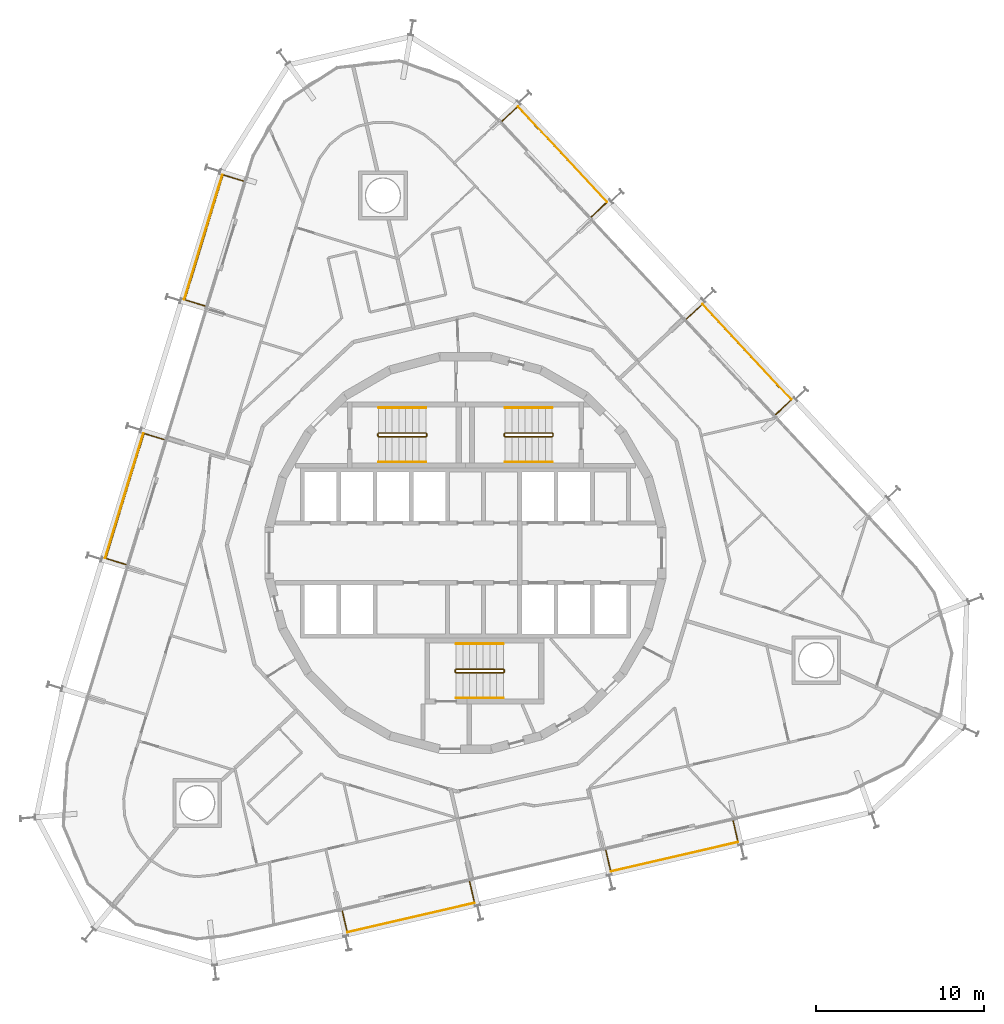
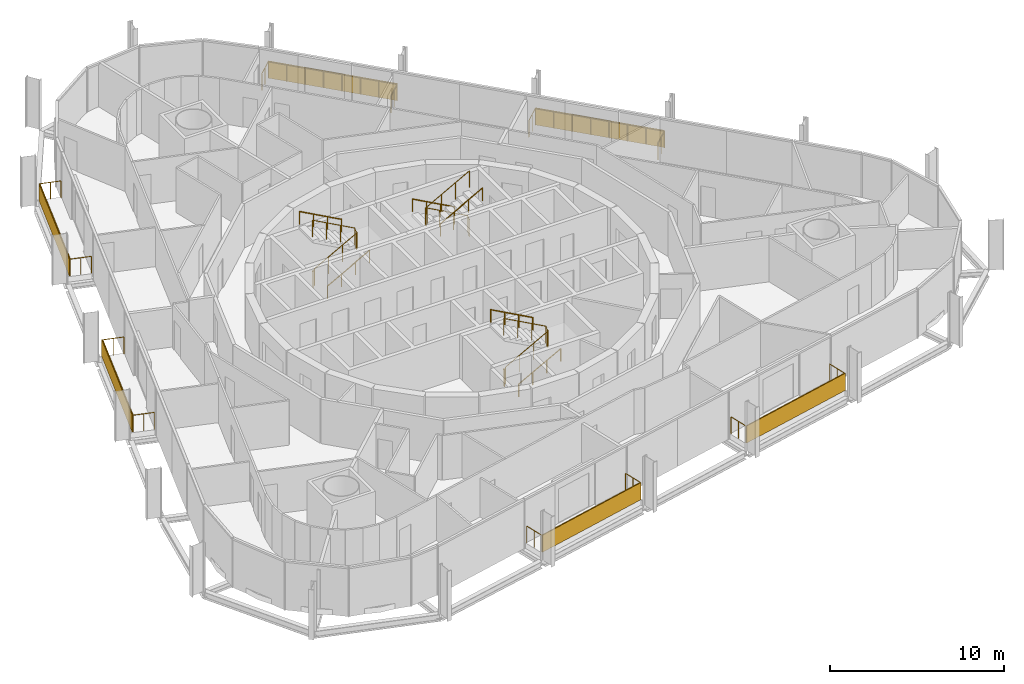
# One storey, part 18 of 18: 15 railings, 6 shading devices.
"""IFC4 building model written with IfcOpenShell, lengths in metres."""

from ifc_helpers import new_model, si_unit, direction, frame, origin, origin_2d, place, context, subcontext, project, spatial, rectangle, circle, extrude, material, layer, layer_set, type_object, element, save


model = new_model("IFC4")

# Units and contexts
model_context = context("Model", 3, precision=1e-05, world=origin(), true_north=direction((0.0, 1.0)))
body_context = subcontext(model_context, "Body", "Model", "MODEL_VIEW")
ifc_project = project(units=[si_unit("LENGTHUNIT", "METRE"), si_unit("AREAUNIT", "SQUARE_METRE"), si_unit("VOLUMEUNIT", "CUBIC_METRE"), si_unit("PLANEANGLEUNIT", "RADIAN"), si_unit("MASSUNIT", "GRAM", prefix="KILO")], contexts=[model_context])

# Site, building, storey
site_placement = place(None, origin())
site = spatial("IfcSite", under=ifc_project, at=site_placement, CompositionType="ELEMENT")
building_placement = place(site_placement, origin())
building = spatial("IfcBuilding", under=site, at=building_placement, Name="Spindle Arch Residences", CompositionType="ELEMENT")
storey_placement = place(building_placement, frame((0.0, 0.0, 120.39990234375)))
storey = spatial("IfcBuildingStorey", under=building, at=storey_placement, Name="L29", CompositionType="ELEMENT", Elevation=120.39990234375)

# Railings
ifc_material_1 = material(Name="Bronze anodised aluminium guard with glass infill", Category="aluminium")
railing_type_1 = type_object("IfcRailingType", Name="Balcony guard 1200", PredefinedType="GUARDRAIL", material=ifc_material_1)
railing_1_placement = place(storey_placement, frame((8.33544921875, -17.658447265625, 0.0)))
element("IfcRailing", 1, at=railing_1_placement, inside=storey, type_object=railing_type_1, Name="Guard L29 bay 1", PredefinedType="GUARDRAIL", context=body_context, shape_type="SweptSolid", body=[
    extrude(circle(Radius=0.02392578125, at=origin_2d()), frame((0.0, 0.0, 1.17578125), z_axis=(0.224987877395, -0.974361562781, 0.0), x_axis=(0.974361562781, 0.224987877395, 0.0)), (0.0, 0.0, 1.0), 1.25),
    extrude(circle(Radius=0.02392578125, at=origin_2d()), frame((0.28125, -1.218017578125, 1.17578125), z_axis=(0.974365204353, 0.224972106149, 0.0), x_axis=(-0.224972106149, 0.974365204353, 0.0)), (0.0, 0.0, 1.0), 7.75927734375),
    extrude(circle(Radius=0.02392578125, at=origin_2d()), frame((7.841552734375, 0.527587890625, 1.17578125), z_axis=(-0.225030699336, 0.974351673861, 0.0), x_axis=(-0.974351673861, -0.225030699336, 0.0)), (0.0, 0.0, 1.0), 1.249755859375),
    extrude(circle(Radius=0.02099609375, at=origin_2d()), origin(), (0.0, 0.0, 1.0), 1.15185546875),
    extrude(circle(Radius=0.02099609375, at=origin_2d()), frame((0.140625, -0.60888671875, 0.0)), (0.0, 0.0, 1.0), 1.15185546875),
    extrude(circle(Radius=0.02099609375, at=origin_2d()), frame((0.28125, -1.218017578125, 0.0)), (0.0, 0.0, 1.0), 1.15185546875),
    extrude(circle(Radius=0.02099609375, at=origin_2d()), frame((1.361328125, -0.96875, 0.0)), (0.0, 0.0, 1.0), 1.15185546875),
    extrude(circle(Radius=0.02099609375, at=origin_2d()), frame((2.44140625, -0.71923828125, 0.0)), (0.0, 0.0, 1.0), 1.15185546875),
    extrude(circle(Radius=0.02099609375, at=origin_2d()), frame((3.521484375, -0.469970703125, 0.0)), (0.0, 0.0, 1.0), 1.15185546875),
    extrude(circle(Radius=0.02099609375, at=origin_2d()), frame((4.601318359375, -0.220458984375, 0.0)), (0.0, 0.0, 1.0), 1.15185546875),
    extrude(circle(Radius=0.02099609375, at=origin_2d()), frame((5.681396484375, 0.02880859375, 0.0)), (0.0, 0.0, 1.0), 1.15185546875),
    extrude(circle(Radius=0.02099609375, at=origin_2d()), frame((6.761474609375, 0.2783203125, 0.0)), (0.0, 0.0, 1.0), 1.15185546875),
    extrude(circle(Radius=0.02099609375, at=origin_2d()), frame((7.841552734375, 0.527587890625, 0.0)), (0.0, 0.0, 1.0), 1.15185546875),
    extrude(circle(Radius=0.02099609375, at=origin_2d()), frame((7.700927734375, 1.136474609375, 0.0)), (0.0, 0.0, 1.0), 1.15185546875),
    extrude(circle(Radius=0.02099609375, at=origin_2d()), frame((7.560302734375, 1.745361328125, 0.0)), (0.0, 0.0, 1.0), 1.15185546875),
])
railing_2_placement = place(storey_placement, frame((18.426025390625, 8.218505859375, 0.0)))
element("IfcRailing", 2, at=railing_2_placement, inside=storey, type_object=railing_type_1, Name="Guard L29 bay 7", PredefinedType="GUARDRAIL", context=body_context, shape_type="SweptSolid", body=[
    extrude(circle(Radius=0.02392578125, at=origin_2d()), frame((0.0, 0.0, 1.17578125), z_axis=(0.731477318681, 0.681865772902, 0.0), x_axis=(-0.681865772902, 0.731477318681, 0.0)), (0.0, 0.0, 1.0), 1.25),
    extrude(circle(Radius=0.02392578125, at=origin_2d()), frame((0.914306640625, 0.852294921875, 1.17578125), z_axis=(-0.681991953625, 0.731359675666, 0.0), x_axis=(-0.731359675666, -0.681991953625, 0.0)), (0.0, 0.0, 1.0), 7.75927734375),
    extrude(circle(Radius=0.02392578125, at=origin_2d()), frame((-4.37744140625, 6.527099609375, 1.17578125), z_axis=(-0.731379904041, -0.681970260323, 0.0), x_axis=(0.681970260323, -0.731379904041, 0.0)), (0.0, 0.0, 1.0), 1.25),
    extrude(circle(Radius=0.02099609375, at=origin_2d()), origin(), (0.0, 0.0, 1.0), 1.15185546875),
    extrude(circle(Radius=0.02099609375, at=origin_2d()), frame((0.45703125, 0.42626953125, 0.0)), (0.0, 0.0, 1.0), 1.15185546875),
    extrude(circle(Radius=0.02099609375, at=origin_2d()), frame((0.914306640625, 0.852294921875, 0.0)), (0.0, 0.0, 1.0), 1.15185546875),
    extrude(circle(Radius=0.02099609375, at=origin_2d()), frame((0.158447265625, 1.6630859375, 0.0)), (0.0, 0.0, 1.0), 1.15185546875),
    extrude(circle(Radius=0.02099609375, at=origin_2d()), frame((-0.59765625, 2.4736328125, 0.0)), (0.0, 0.0, 1.0), 1.15185546875),
    extrude(circle(Radius=0.02099609375, at=origin_2d()), frame((-1.353515625, 3.284423828125, 0.0)), (0.0, 0.0, 1.0), 1.15185546875),
    extrude(circle(Radius=0.02099609375, at=origin_2d()), frame((-2.109619140625, 4.094970703125, 0.0)), (0.0, 0.0, 1.0), 1.15185546875),
    extrude(circle(Radius=0.02099609375, at=origin_2d()), frame((-2.865478515625, 4.90576171875, 0.0)), (0.0, 0.0, 1.0), 1.15185546875),
    extrude(circle(Radius=0.02099609375, at=origin_2d()), frame((-3.62158203125, 5.71630859375, 0.0)), (0.0, 0.0, 1.0), 1.15185546875),
    extrude(circle(Radius=0.02099609375, at=origin_2d()), frame((-4.37744140625, 6.527099609375, 0.0)), (0.0, 0.0, 1.0), 1.15185546875),
    extrude(circle(Radius=0.02099609375, at=origin_2d()), frame((-4.83447265625, 6.100830078125, 0.0)), (0.0, 0.0, 1.0), 1.15185546875),
    extrude(circle(Radius=0.02099609375, at=origin_2d()), frame((-5.291748046875, 5.674560546875, 0.0)), (0.0, 0.0, 1.0), 1.15185546875),
])
railing_3_placement = place(storey_placement, frame((7.474365234375, 19.962646484375, 0.0)))
element("IfcRailing", 3, at=railing_3_placement, inside=storey, type_object=railing_type_1, Name="Guard L29 bay 9", PredefinedType="GUARDRAIL", context=body_context, shape_type="SweptSolid", body=[
    extrude(circle(Radius=0.02392578125, at=origin_2d()), frame((0.0, 0.0, 1.17578125), z_axis=(0.731289056092, 0.682067677317, 0.0), x_axis=(-0.682067677317, 0.731289056092, 0.0)), (0.0, 0.0, 1.0), 1.25),
    extrude(circle(Radius=0.02392578125, at=origin_2d()), frame((0.9140625, 0.8525390625, 1.17578125), z_axis=(-0.681991953625, 0.731359675666, 0.0), x_axis=(-0.731359675666, -0.681991953625, 0.0)), (0.0, 0.0, 1.0), 7.75927734375),
    extrude(circle(Radius=0.02392578125, at=origin_2d()), frame((-4.377685546875, 6.52734375, 1.17578125), z_axis=(-0.731289056092, -0.682067677317, 0.0), x_axis=(0.682067677317, -0.731289056092, 0.0)), (0.0, 0.0, 1.0), 1.25),
    extrude(circle(Radius=0.02099609375, at=origin_2d()), origin(), (0.0, 0.0, 1.0), 1.15185546875),
    extrude(circle(Radius=0.02099609375, at=origin_2d()), frame((0.45703125, 0.42626953125, 0.0)), (0.0, 0.0, 1.0), 1.15185546875),
    extrude(circle(Radius=0.02099609375, at=origin_2d()), frame((0.9140625, 0.8525390625, 0.0)), (0.0, 0.0, 1.0), 1.15185546875),
    extrude(circle(Radius=0.02099609375, at=origin_2d()), frame((0.158203125, 1.663330078125, 0.0)), (0.0, 0.0, 1.0), 1.15185546875),
    extrude(circle(Radius=0.02099609375, at=origin_2d()), frame((-0.597900390625, 2.473876953125, 0.0)), (0.0, 0.0, 1.0), 1.15185546875),
    extrude(circle(Radius=0.02099609375, at=origin_2d()), frame((-1.353759765625, 3.28466796875, 0.0)), (0.0, 0.0, 1.0), 1.15185546875),
    extrude(circle(Radius=0.02099609375, at=origin_2d()), frame((-2.10986328125, 4.09521484375, 0.0)), (0.0, 0.0, 1.0), 1.15185546875),
    extrude(circle(Radius=0.02099609375, at=origin_2d()), frame((-2.86572265625, 4.906005859375, 0.0)), (0.0, 0.0, 1.0), 1.15185546875),
    extrude(circle(Radius=0.02099609375, at=origin_2d()), frame((-3.621826171875, 5.716552734375, 0.0)), (0.0, 0.0, 1.0), 1.15185546875),
    extrude(circle(Radius=0.02099609375, at=origin_2d()), frame((-4.377685546875, 6.52734375, 0.0)), (0.0, 0.0, 1.0), 1.15185546875),
    extrude(circle(Radius=0.02099609375, at=origin_2d()), frame((-4.834716796875, 6.10107421875, 0.0)), (0.0, 0.0, 1.0), 1.15185546875),
    extrude(circle(Radius=0.02099609375, at=origin_2d()), frame((-5.291748046875, 5.6748046875, 0.0)), (0.0, 0.0, 1.0), 1.15185546875),
])
railing_4_placement = place(storey_placement, frame((-13.200439453125, 22.0859375, 0.0)))
element("IfcRailing", 4, at=railing_4_placement, inside=storey, type_object=railing_type_1, Name="Guard L29 bay 13", PredefinedType="GUARDRAIL", context=body_context, shape_type="SweptSolid", body=[
    extrude(circle(Radius=0.02392578125, at=origin_2d()), frame((0.0, 0.0, 1.17578125), z_axis=(-0.95629696894, 0.292397173714, 0.0), x_axis=(-0.292397173714, -0.95629696894, 0.0)), (0.0, 0.0, 1.0), 1.25),
    extrude(circle(Radius=0.02392578125, at=origin_2d()), frame((-1.1953125, 0.365478515625, 1.17578125), z_axis=(-0.29236961561, -0.956305394666, 0.0), x_axis=(0.956305394666, -0.29236961561, 0.0)), (0.0, 0.0, 1.0), 7.75927734375),
    extrude(circle(Radius=0.02392578125, at=origin_2d()), frame((-3.4638671875, -7.0546875, 1.17578125), z_axis=(0.95629696894, -0.292397173714, 0.0), x_axis=(0.292397173714, 0.95629696894, 0.0)), (0.0, 0.0, 1.0), 1.25),
    extrude(circle(Radius=0.02099609375, at=origin_2d()), origin(), (0.0, 0.0, 1.0), 1.15185546875),
    extrude(circle(Radius=0.02099609375, at=origin_2d()), frame((-0.59765625, 0.1826171875, 0.0)), (0.0, 0.0, 1.0), 1.15185546875),
    extrude(circle(Radius=0.02099609375, at=origin_2d()), frame((-1.1953125, 0.365478515625, 0.0)), (0.0, 0.0, 1.0), 1.15185546875),
    extrude(circle(Radius=0.02099609375, at=origin_2d()), frame((-1.519287109375, -0.694580078125, 0.0)), (0.0, 0.0, 1.0), 1.15185546875),
    extrude(circle(Radius=0.02099609375, at=origin_2d()), frame((-1.843505859375, -1.754638671875, 0.0)), (0.0, 0.0, 1.0), 1.15185546875),
    extrude(circle(Radius=0.02099609375, at=origin_2d()), frame((-2.16748046875, -2.814697265625, 0.0)), (0.0, 0.0, 1.0), 1.15185546875),
    extrude(circle(Radius=0.02099609375, at=origin_2d()), frame((-2.49169921875, -3.87451171875, 0.0)), (0.0, 0.0, 1.0), 1.15185546875),
    extrude(circle(Radius=0.02099609375, at=origin_2d()), frame((-2.815673828125, -4.9345703125, 0.0)), (0.0, 0.0, 1.0), 1.15185546875),
    extrude(circle(Radius=0.02099609375, at=origin_2d()), frame((-3.139892578125, -5.99462890625, 0.0)), (0.0, 0.0, 1.0), 1.15185546875),
    extrude(circle(Radius=0.02099609375, at=origin_2d()), frame((-3.4638671875, -7.0546875, 0.0)), (0.0, 0.0, 1.0), 1.15185546875),
    extrude(circle(Radius=0.02099609375, at=origin_2d()), frame((-2.8662109375, -7.2373046875, 0.0)), (0.0, 0.0, 1.0), 1.15185546875),
    extrude(circle(Radius=0.02099609375, at=origin_2d()), frame((-2.2685546875, -7.420166015625, 0.0)), (0.0, 0.0, 1.0), 1.15185546875),
])
railing_5_placement = place(storey_placement, frame((-17.895263671875, 6.729248046875, 0.0)))
element("IfcRailing", 5, at=railing_5_placement, inside=storey, type_object=railing_type_1, Name="Guard L29 bay 15", PredefinedType="GUARDRAIL", context=body_context, shape_type="SweptSolid", body=[
    extrude(circle(Radius=0.02392578125, at=origin_2d()), frame((0.0, 0.0, 1.17578125), z_axis=(-0.956313663541, 0.29234256776, 0.0), x_axis=(-0.29234256776, -0.956313663541, 0.0)), (0.0, 0.0, 1.0), 1.250244140625),
    extrude(circle(Radius=0.02392578125, at=origin_2d()), frame((-1.195556640625, 0.365478515625, 1.17578125), z_axis=(-0.29236961561, -0.956305394666, 0.0), x_axis=(0.956305394666, -0.29236961561, 0.0)), (0.0, 0.0, 1.0), 7.75927734375),
    extrude(circle(Radius=0.02392578125, at=origin_2d()), frame((-3.464111328125, -7.0546875, 1.17578125), z_axis=(0.956368246211, -0.292163956776, 0.0), x_axis=(0.292163956776, 0.956368246211, 0.0)), (0.0, 0.0, 1.0), 1.25),
    extrude(circle(Radius=0.02099609375, at=origin_2d()), origin(), (0.0, 0.0, 1.0), 1.15185546875),
    extrude(circle(Radius=0.02099609375, at=origin_2d()), frame((-0.59765625, 0.1826171875, 0.0)), (0.0, 0.0, 1.0), 1.15185546875),
    extrude(circle(Radius=0.02099609375, at=origin_2d()), frame((-1.195556640625, 0.365478515625, 0.0)), (0.0, 0.0, 1.0), 1.15185546875),
    extrude(circle(Radius=0.02099609375, at=origin_2d()), frame((-1.51953125, -0.694580078125, 0.0)), (0.0, 0.0, 1.0), 1.15185546875),
    extrude(circle(Radius=0.02099609375, at=origin_2d()), frame((-1.84375, -1.754638671875, 0.0)), (0.0, 0.0, 1.0), 1.15185546875),
    extrude(circle(Radius=0.02099609375, at=origin_2d()), frame((-2.167724609375, -2.814697265625, 0.0)), (0.0, 0.0, 1.0), 1.15185546875),
    extrude(circle(Radius=0.02099609375, at=origin_2d()), frame((-2.491943359375, -3.87451171875, 0.0)), (0.0, 0.0, 1.0), 1.15185546875),
    extrude(circle(Radius=0.02099609375, at=origin_2d()), frame((-2.81591796875, -4.9345703125, 0.0)), (0.0, 0.0, 1.0), 1.15185546875),
    extrude(circle(Radius=0.02099609375, at=origin_2d()), frame((-3.14013671875, -5.99462890625, 0.0)), (0.0, 0.0, 1.0), 1.15185546875),
    extrude(circle(Radius=0.02099609375, at=origin_2d()), frame((-3.464111328125, -7.0546875, 0.0)), (0.0, 0.0, 1.0), 1.15185546875),
    extrude(circle(Radius=0.02099609375, at=origin_2d()), frame((-2.8662109375, -7.2373046875, 0.0)), (0.0, 0.0, 1.0), 1.15185546875),
    extrude(circle(Radius=0.02099609375, at=origin_2d()), frame((-2.2685546875, -7.419921875, 0.0)), (0.0, 0.0, 1.0), 1.15185546875),
])
railing_6_placement = place(storey_placement, frame((-7.311279296875, -21.270751953125, 0.0)))
element("IfcRailing", 6, at=railing_6_placement, inside=storey, type_object=railing_type_1, Name="Guard L29 bay 21", PredefinedType="GUARDRAIL", context=body_context, shape_type="SweptSolid", body=[
    extrude(circle(Radius=0.02392578125, at=origin_2d()), frame((0.0, 0.0, 1.17578125), z_axis=(0.224987877395, -0.974361562781, 0.0), x_axis=(0.974361562781, 0.224987877395, 0.0)), (0.0, 0.0, 1.0), 1.25),
    extrude(circle(Radius=0.02392578125, at=origin_2d()), frame((0.28125, -1.218017578125, 1.17578125), z_axis=(0.974365204353, 0.224972106149, 0.0), x_axis=(-0.224972106149, 0.974365204353, 0.0)), (0.0, 0.0, 1.0), 7.75927734375),
    extrude(circle(Radius=0.02392578125, at=origin_2d()), frame((7.841552734375, 0.527587890625, 1.17578125), z_axis=(-0.225030699336, 0.974351673861, 0.0), x_axis=(-0.974351673861, -0.225030699336, 0.0)), (0.0, 0.0, 1.0), 1.249755859375),
    extrude(circle(Radius=0.02099609375, at=origin_2d()), origin(), (0.0, 0.0, 1.0), 1.15185546875),
    extrude(circle(Radius=0.02099609375, at=origin_2d()), frame((0.140625, -0.60888671875, 0.0)), (0.0, 0.0, 1.0), 1.15185546875),
    extrude(circle(Radius=0.02099609375, at=origin_2d()), frame((0.28125, -1.218017578125, 0.0)), (0.0, 0.0, 1.0), 1.15185546875),
    extrude(circle(Radius=0.02099609375, at=origin_2d()), frame((1.361328125, -0.96875, 0.0)), (0.0, 0.0, 1.0), 1.15185546875),
    extrude(circle(Radius=0.02099609375, at=origin_2d()), frame((2.44140625, -0.71923828125, 0.0)), (0.0, 0.0, 1.0), 1.15185546875),
    extrude(circle(Radius=0.02099609375, at=origin_2d()), frame((3.521484375, -0.469970703125, 0.0)), (0.0, 0.0, 1.0), 1.15185546875),
    extrude(circle(Radius=0.02099609375, at=origin_2d()), frame((4.601318359375, -0.220458984375, 0.0)), (0.0, 0.0, 1.0), 1.15185546875),
    extrude(circle(Radius=0.02099609375, at=origin_2d()), frame((5.681396484375, 0.02880859375, 0.0)), (0.0, 0.0, 1.0), 1.15185546875),
    extrude(circle(Radius=0.02099609375, at=origin_2d()), frame((6.761474609375, 0.2783203125, 0.0)), (0.0, 0.0, 1.0), 1.15185546875),
    extrude(circle(Radius=0.02099609375, at=origin_2d()), frame((7.841552734375, 0.527587890625, 0.0)), (0.0, 0.0, 1.0), 1.15185546875),
    extrude(circle(Radius=0.02099609375, at=origin_2d()), frame((7.700927734375, 1.136474609375, 0.0)), (0.0, 0.0, 1.0), 1.15185546875),
    extrude(circle(Radius=0.02099609375, at=origin_2d()), frame((7.560302734375, 1.745361328125, 0.0)), (0.0, 0.0, 1.0), 1.15185546875),
])

# Shading devices
ifc_material_2 = material(Name="Bronze perforated cobogo screen")
ifc_layer = layer(ifc_material_2, 0.0390625)
ifc_layer_set = layer_set([ifc_layer], Name="Cobogo screen 1200")
shading_device_type = type_object("IfcShadingDeviceType", Name="Cobogo screen 1200", PredefinedType="USERDEFINED", material=ifc_layer_set)
for number, where, z_axis, x_axis, name in (
    (7, (12.406005859375, -18.043212890625, 0.0), (0.0, 0.0, 1.0), (0.974370064785, 0.224951054344, 0.0), "Cobogo screen L29 bay 1"),
    (8, (16.723876953125, 11.935791015625, 0.0), (0.0, 0.0, 1.0), (-0.681998360062, 0.731353701619, 0.0), "Cobogo screen L29 bay 7"),
    (9, (5.772216796875, 23.68017578125, 0.0), (0.0, 0.0, 1.0), (-0.681998360062, 0.731353701619, 0.0), "Cobogo screen L29 bay 9"),
    (10, (-15.56884765625, 18.753173828125, 0.0), (0.0, 0.0, 1.0), (-0.292371704723, -0.956304755963, 0.0), "Cobogo screen L29 bay 13"),
    (11, (-20.263671875, 3.396484375, 0.0), (0.0, 0.0, 1.0), (-0.292371704723, -0.956304755963, 0.0), "Cobogo screen L29 bay 15"),
    (12, (-3.24072265625, -21.655517578125, 0.0), (0.0, 0.0, 1.0), (0.974370064785, 0.224951054344, 0.0), "Cobogo screen L29 bay 21"),
):
    element("IfcShadingDevice", number, at=place(storey_placement, frame(where, z_axis=z_axis, x_axis=x_axis)), inside=storey, type_object=shading_device_type, Name=name, ObjectType="SCREEN", PredefinedType="USERDEFINED", context=body_context, shape_type="SweptSolid", body=[
        extrude(rectangle(XDim=7.75927734375, YDim=0.0390625, at=origin_2d()), origin(), (0.0, 0.0, 1.0), 1.199951171875),
    ])

# Railings
ifc_material_3 = material(Name="Steel, painted", Category="steel")
railing_type_2 = type_object("IfcRailingType", Name="Stair guard 1100", PredefinedType="GUARDRAIL", material=ifc_material_3)
railing_7_placement = place(storey_placement, frame((5.14990234375, 6.89990234375, 3.5)))
element("IfcRailing", 13, at=railing_7_placement, inside=storey, type_object=railing_type_2, Name="L29 ST1 stair guard 1", PredefinedType="GUARDRAIL", context=body_context, shape_type="SweptSolid", body=[
    extrude(circle(Radius=0.02392578125, at=origin_2d()), frame((0.0, 0.0, 1.17578125), z_axis=(-0.877357048833, 0.0, -0.479838106931), x_axis=(0.0, -1.0, 0.0)), (0.0, 0.0, 1.0), 3.191162109375),
    extrude(circle(Radius=0.02392578125, at=origin_2d()), frame((-2.7998046875, 0.0, -0.35546875), z_axis=(-0.217683172539, 0.217683172539, -0.951434744366), x_axis=(-0.707106781187, -0.707106781187, 0.0)), (0.0, 0.0, 1.0), 0.22998046875),
    extrude(circle(Radius=0.02392578125, at=origin_2d()), frame((-2.849853515625, 0.050048828125, -0.57421875), z_axis=(0.0, 1.0, 0.0), x_axis=(-1.0, 0.0, 0.0)), (0.0, 0.0, 1.0), 0.1201171875),
    extrude(circle(Radius=0.02392578125, at=origin_2d()), frame((-2.849853515625, 0.170166015625, -0.57421875), z_axis=(0.707106781187, 0.707106781187, 0.0), x_axis=(-0.707106781187, 0.707106781187, 0.0)), (0.0, 0.0, 1.0), 0.07080078125),
    extrude(circle(Radius=0.02392578125, at=origin_2d()), frame((-2.7998046875, 0.22021484375, -0.57421875), z_axis=(0.877357048833, 0.0, -0.479838106931), x_axis=(0.0, 1.0, 0.0)), (0.0, 0.0, 1.0), 3.191162109375),
    extrude(circle(Radius=0.02392578125, at=origin_2d()), frame((0.0, 0.22021484375, -2.10546875), z_axis=(0.217683172539, -0.217683172539, -0.951434744366), x_axis=(0.707106781187, 0.707106781187, 0.0)), (0.0, 0.0, 1.0), 0.22998046875),
    extrude(circle(Radius=0.02392578125, at=origin_2d()), frame((0.050048828125, 0.170166015625, -2.32421875), z_axis=(0.0, -1.0, 0.0), x_axis=(1.0, 0.0, 0.0)), (0.0, 0.0, 1.0), 0.1201171875),
    extrude(circle(Radius=0.02099609375, at=origin_2d()), origin(), (0.0, 0.0, 1.0), 1.15185546875),
    extrude(circle(Radius=0.02099609375, at=origin_2d()), frame((-0.933349609375, 0.0, -0.510498046875)), (0.0, 0.0, 1.0), 1.15185546875),
    extrude(circle(Radius=0.02099609375, at=origin_2d()), frame((-1.866455078125, 0.0, -1.020751953125)), (0.0, 0.0, 1.0), 1.15185546875),
    extrude(circle(Radius=0.02099609375, at=origin_2d()), frame((-2.7998046875, 0.0, -1.53125)), (0.0, 0.0, 1.0), 1.15185546875),
    extrude(circle(Radius=0.02099609375, at=origin_2d()), frame((-2.849853515625, 0.050048828125, -1.75)), (0.0, 0.0, 1.0), 1.15185546875),
    extrude(circle(Radius=0.02099609375, at=origin_2d()), frame((-2.849853515625, 0.170166015625, -1.75)), (0.0, 0.0, 1.0), 1.15185546875),
    extrude(circle(Radius=0.02099609375, at=origin_2d()), frame((-2.7998046875, 0.22021484375, -1.75)), (0.0, 0.0, 1.0), 1.15185546875),
    extrude(circle(Radius=0.02099609375, at=origin_2d()), frame((-1.866455078125, 0.22021484375, -2.260498046875)), (0.0, 0.0, 1.0), 1.15185546875),
    extrude(circle(Radius=0.02099609375, at=origin_2d()), frame((-0.933349609375, 0.22021484375, -2.770751953125)), (0.0, 0.0, 1.0), 1.15185546875),
    extrude(circle(Radius=0.02099609375, at=origin_2d()), frame((0.0, 0.22021484375, -3.28125)), (0.0, 0.0, 1.0), 1.15185546875),
    extrude(circle(Radius=0.02099609375, at=origin_2d()), frame((0.050048828125, 0.170166015625, -3.5)), (0.0, 0.0, 1.0), 1.15185546875),
    extrude(circle(Radius=0.02099609375, at=origin_2d()), frame((0.050048828125, 0.050048828125, -3.5)), (0.0, 0.0, 1.0), 1.15185546875),
])
railing_8_placement = place(storey_placement, frame((-5.14990234375, 7.1201171875, 3.5)))
element("IfcRailing", 14, at=railing_8_placement, inside=storey, type_object=railing_type_2, Name="L29 ST2 stair guard 1", PredefinedType="GUARDRAIL", context=body_context, shape_type="SweptSolid", body=[
    extrude(circle(Radius=0.02392578125, at=origin_2d()), frame((0.0, 0.0, 1.17578125), z_axis=(0.877357048833, 0.0, -0.479838106931), x_axis=(0.0, 1.0, 0.0)), (0.0, 0.0, 1.0), 3.191162109375),
    extrude(circle(Radius=0.02392578125, at=origin_2d()), frame((2.7998046875, 0.0, -0.35546875), z_axis=(0.217683172539, -0.217683172539, -0.951434744366), x_axis=(0.707106781187, 0.707106781187, 0.0)), (0.0, 0.0, 1.0), 0.22998046875),
    extrude(circle(Radius=0.02392578125, at=origin_2d()), frame((2.849853515625, -0.050048828125, -0.57421875), z_axis=(0.0, -1.0, 0.0), x_axis=(1.0, 0.0, 0.0)), (0.0, 0.0, 1.0), 0.1201171875),
    extrude(circle(Radius=0.02392578125, at=origin_2d()), frame((2.849853515625, -0.170166015625, -0.57421875), z_axis=(-0.707106781187, -0.707106781187, 0.0), x_axis=(0.707106781187, -0.707106781187, 0.0)), (0.0, 0.0, 1.0), 0.07080078125),
    extrude(circle(Radius=0.02392578125, at=origin_2d()), frame((2.7998046875, -0.22021484375, -0.57421875), z_axis=(-0.877357048833, 0.0, -0.479838106931), x_axis=(0.0, -1.0, 0.0)), (0.0, 0.0, 1.0), 3.191162109375),
    extrude(circle(Radius=0.02392578125, at=origin_2d()), frame((0.0, -0.22021484375, -2.10546875), z_axis=(-0.217683172539, 0.217683172539, -0.951434744366), x_axis=(-0.707106781187, -0.707106781187, 0.0)), (0.0, 0.0, 1.0), 0.22998046875),
    extrude(circle(Radius=0.02392578125, at=origin_2d()), frame((-0.050048828125, -0.170166015625, -2.32421875), z_axis=(0.0, 1.0, 0.0), x_axis=(-1.0, 0.0, 0.0)), (0.0, 0.0, 1.0), 0.1201171875),
    extrude(circle(Radius=0.02099609375, at=origin_2d()), origin(), (0.0, 0.0, 1.0), 1.15185546875),
    extrude(circle(Radius=0.02099609375, at=origin_2d()), frame((0.933349609375, 0.0, -0.510498046875)), (0.0, 0.0, 1.0), 1.15185546875),
    extrude(circle(Radius=0.02099609375, at=origin_2d()), frame((1.866455078125, 0.0, -1.020751953125)), (0.0, 0.0, 1.0), 1.15185546875),
    extrude(circle(Radius=0.02099609375, at=origin_2d()), frame((2.7998046875, 0.0, -1.53125)), (0.0, 0.0, 1.0), 1.15185546875),
    extrude(circle(Radius=0.02099609375, at=origin_2d()), frame((2.849853515625, -0.050048828125, -1.75)), (0.0, 0.0, 1.0), 1.15185546875),
    extrude(circle(Radius=0.02099609375, at=origin_2d()), frame((2.849853515625, -0.170166015625, -1.75)), (0.0, 0.0, 1.0), 1.15185546875),
    extrude(circle(Radius=0.02099609375, at=origin_2d()), frame((2.7998046875, -0.22021484375, -1.75)), (0.0, 0.0, 1.0), 1.15185546875),
    extrude(circle(Radius=0.02099609375, at=origin_2d()), frame((1.866455078125, -0.22021484375, -2.260498046875)), (0.0, 0.0, 1.0), 1.15185546875),
    extrude(circle(Radius=0.02099609375, at=origin_2d()), frame((0.933349609375, -0.22021484375, -2.770751953125)), (0.0, 0.0, 1.0), 1.15185546875),
    extrude(circle(Radius=0.02099609375, at=origin_2d()), frame((0.0, -0.22021484375, -3.28125)), (0.0, 0.0, 1.0), 1.15185546875),
    extrude(circle(Radius=0.02099609375, at=origin_2d()), frame((-0.050048828125, -0.170166015625, -3.5)), (0.0, 0.0, 1.0), 1.15185546875),
    extrude(circle(Radius=0.02099609375, at=origin_2d()), frame((-0.050048828125, -0.050048828125, -3.5)), (0.0, 0.0, 1.0), 1.15185546875),
])
railing_9_placement = place(storey_placement, frame((-0.550048828125, -6.89990234375, 3.5)))
element("IfcRailing", 15, at=railing_9_placement, inside=storey, type_object=railing_type_2, Name="L29 ST3 stair guard 1", PredefinedType="GUARDRAIL", context=body_context, shape_type="SweptSolid", body=[
    extrude(circle(Radius=0.02392578125, at=origin_2d()), frame((0.0, 0.0, 1.17578125), z_axis=(0.877374661878, 0.0, -0.479805901063), x_axis=(0.0, 1.0, 0.0)), (0.0, 0.0, 1.0), 3.19140625),
    extrude(circle(Radius=0.02392578125, at=origin_2d()), frame((2.800048828125, 0.0, -0.35546875), z_axis=(0.217683172539, -0.217683172539, -0.951434744366), x_axis=(0.707106781187, 0.707106781187, 0.0)), (0.0, 0.0, 1.0), 0.22998046875),
    extrude(circle(Radius=0.02392578125, at=origin_2d()), frame((2.85009765625, -0.050048828125, -0.57421875), z_axis=(0.0, -1.0, 0.0), x_axis=(1.0, 0.0, 0.0)), (0.0, 0.0, 1.0), 0.1201171875),
    extrude(circle(Radius=0.02392578125, at=origin_2d()), frame((2.85009765625, -0.170166015625, -0.57421875), z_axis=(-0.707106781187, -0.707106781187, 0.0), x_axis=(0.707106781187, -0.707106781187, 0.0)), (0.0, 0.0, 1.0), 0.07080078125),
    extrude(circle(Radius=0.02392578125, at=origin_2d()), frame((2.800048828125, -0.22021484375, -0.57421875), z_axis=(-0.877374661878, 0.0, -0.479805901063), x_axis=(0.0, -1.0, 0.0)), (0.0, 0.0, 1.0), 3.19140625),
    extrude(circle(Radius=0.02392578125, at=origin_2d()), frame((0.0, -0.22021484375, -2.10546875), z_axis=(-0.217683172539, 0.217683172539, -0.951434744366), x_axis=(-0.707106781187, -0.707106781187, 0.0)), (0.0, 0.0, 1.0), 0.22998046875),
    extrude(circle(Radius=0.02392578125, at=origin_2d()), frame((-0.050048828125, -0.170166015625, -2.32421875), z_axis=(0.0, 1.0, 0.0), x_axis=(-1.0, 0.0, 0.0)), (0.0, 0.0, 1.0), 0.1201171875),
    extrude(circle(Radius=0.02099609375, at=origin_2d()), origin(), (0.0, 0.0, 1.0), 1.15185546875),
    extrude(circle(Radius=0.02099609375, at=origin_2d()), frame((0.933349609375, 0.0, -0.510498046875)), (0.0, 0.0, 1.0), 1.15185546875),
    extrude(circle(Radius=0.02099609375, at=origin_2d()), frame((1.86669921875, 0.0, -1.020751953125)), (0.0, 0.0, 1.0), 1.15185546875),
    extrude(circle(Radius=0.02099609375, at=origin_2d()), frame((2.800048828125, 0.0, -1.53125)), (0.0, 0.0, 1.0), 1.15185546875),
    extrude(circle(Radius=0.02099609375, at=origin_2d()), frame((2.85009765625, -0.050048828125, -1.75)), (0.0, 0.0, 1.0), 1.15185546875),
    extrude(circle(Radius=0.02099609375, at=origin_2d()), frame((2.85009765625, -0.170166015625, -1.75)), (0.0, 0.0, 1.0), 1.15185546875),
    extrude(circle(Radius=0.02099609375, at=origin_2d()), frame((2.800048828125, -0.22021484375, -1.75)), (0.0, 0.0, 1.0), 1.15185546875),
    extrude(circle(Radius=0.02099609375, at=origin_2d()), frame((1.86669921875, -0.22021484375, -2.260498046875)), (0.0, 0.0, 1.0), 1.15185546875),
    extrude(circle(Radius=0.02099609375, at=origin_2d()), frame((0.933349609375, -0.22021484375, -2.770751953125)), (0.0, 0.0, 1.0), 1.15185546875),
    extrude(circle(Radius=0.02099609375, at=origin_2d()), frame((0.0, -0.22021484375, -3.28125)), (0.0, 0.0, 1.0), 1.15185546875),
    extrude(circle(Radius=0.02099609375, at=origin_2d()), frame((-0.050048828125, -0.170166015625, -3.5)), (0.0, 0.0, 1.0), 1.15185546875),
    extrude(circle(Radius=0.02099609375, at=origin_2d()), frame((-0.050048828125, -0.050048828125, -3.5)), (0.0, 0.0, 1.0), 1.15185546875),
])
ifc_material_4 = material(Name="Steel, painted", Category="steel")
railing_type_3 = type_object("IfcRailingType", Name="Stair handrail 900", PredefinedType="HANDRAIL", material=ifc_material_4)
railing_10_placement = place(storey_placement, frame((5.14990234375, 8.6201171875, 0.21875)))
element("IfcRailing", 16, at=railing_10_placement, inside=storey, type_object=railing_type_3, Name="L29 ST1 stair handrail 1", PredefinedType="HANDRAIL", context=body_context, shape_type="SweptSolid", body=[
    extrude(circle(Radius=0.02392578125, at=origin_2d()), frame((0.0, 0.0, 0.8759765625), z_axis=(-0.877357048833, 0.0, 0.479838106931), x_axis=(0.0, -1.0, 0.0)), (0.0, 0.0, 1.0), 3.191162109375),
    extrude(circle(Radius=0.02099609375, at=origin_2d()), origin(), (0.0, 0.0, 1.0), 0.851806640625),
    extrude(circle(Radius=0.02099609375, at=origin_2d()), frame((-0.933349609375, 0.0, 0.510498046875)), (0.0, 0.0, 1.0), 0.851806640625),
    extrude(circle(Radius=0.02099609375, at=origin_2d()), frame((-1.866455078125, 0.0, 1.020751953125)), (0.0, 0.0, 1.0), 0.851806640625),
    extrude(circle(Radius=0.02099609375, at=origin_2d()), frame((-2.7998046875, 0.0, 1.53125)), (0.0, 0.0, 1.0), 0.851806640625),
])
for number, where, name in (
    (17, (2.35009765625, 5.39990234375, 1.96875), "L29 ST1 stair handrail 2"),
    (18, (-5.14990234375, 5.39990234375, 0.21875), "L29 ST2 stair handrail 1"),
):
    element("IfcRailing", number, at=place(storey_placement, frame(where)), inside=storey, type_object=railing_type_3, Name=name, PredefinedType="HANDRAIL", context=body_context, shape_type="SweptSolid", body=[
        extrude(circle(Radius=0.02392578125, at=origin_2d()), frame((0.0, 0.0, 0.8759765625), z_axis=(0.877357048833, 0.0, 0.479838106931), x_axis=(0.0, 1.0, 0.0)), (0.0, 0.0, 1.0), 3.191162109375),
        extrude(circle(Radius=0.02099609375, at=origin_2d()), origin(), (0.0, 0.0, 1.0), 0.851806640625),
        extrude(circle(Radius=0.02099609375, at=origin_2d()), frame((0.933349609375, 0.0, 0.510498046875)), (0.0, 0.0, 1.0), 0.851806640625),
        extrude(circle(Radius=0.02099609375, at=origin_2d()), frame((1.866455078125, 0.0, 1.020751953125)), (0.0, 0.0, 1.0), 0.851806640625),
        extrude(circle(Radius=0.02099609375, at=origin_2d()), frame((2.7998046875, 0.0, 1.53125)), (0.0, 0.0, 1.0), 0.851806640625),
    ])
railing_11_placement = place(storey_placement, frame((-2.35009765625, 8.6201171875, 1.96875)))
element("IfcRailing", 19, at=railing_11_placement, inside=storey, type_object=railing_type_3, Name="L29 ST2 stair handrail 2", PredefinedType="HANDRAIL", context=body_context, shape_type="SweptSolid", body=[
    extrude(circle(Radius=0.02392578125, at=origin_2d()), frame((0.0, 0.0, 0.8759765625), z_axis=(-0.877357048833, 0.0, 0.479838106931), x_axis=(0.0, -1.0, 0.0)), (0.0, 0.0, 1.0), 3.191162109375),
    extrude(circle(Radius=0.02099609375, at=origin_2d()), origin(), (0.0, 0.0, 1.0), 0.851806640625),
    extrude(circle(Radius=0.02099609375, at=origin_2d()), frame((-0.933349609375, 0.0, 0.510498046875)), (0.0, 0.0, 1.0), 0.851806640625),
    extrude(circle(Radius=0.02099609375, at=origin_2d()), frame((-1.866455078125, 0.0, 1.020751953125)), (0.0, 0.0, 1.0), 0.851806640625),
    extrude(circle(Radius=0.02099609375, at=origin_2d()), frame((-2.7998046875, 0.0, 1.53125)), (0.0, 0.0, 1.0), 0.851806640625),
])
railing_12_placement = place(storey_placement, frame((-0.550048828125, -8.6201171875, 0.21875)))
element("IfcRailing", 20, at=railing_12_placement, inside=storey, type_object=railing_type_3, Name="L29 ST3 stair handrail 1", PredefinedType="HANDRAIL", context=body_context, shape_type="SweptSolid", body=[
    extrude(circle(Radius=0.02392578125, at=origin_2d()), frame((0.0, 0.0, 0.8759765625), z_axis=(0.877374661878, 0.0, 0.479805901063), x_axis=(0.0, 1.0, 0.0)), (0.0, 0.0, 1.0), 3.19140625),
    extrude(circle(Radius=0.02099609375, at=origin_2d()), origin(), (0.0, 0.0, 1.0), 0.851806640625),
    extrude(circle(Radius=0.02099609375, at=origin_2d()), frame((0.933349609375, 0.0, 0.510498046875)), (0.0, 0.0, 1.0), 0.851806640625),
    extrude(circle(Radius=0.02099609375, at=origin_2d()), frame((1.86669921875, 0.0, 1.020751953125)), (0.0, 0.0, 1.0), 0.851806640625),
    extrude(circle(Radius=0.02099609375, at=origin_2d()), frame((2.800048828125, 0.0, 1.53125)), (0.0, 0.0, 1.0), 0.851806640625),
])
railing_13_placement = place(storey_placement, frame((2.25, -5.39990234375, 1.96875)))
element("IfcRailing", 21, at=railing_13_placement, inside=storey, type_object=railing_type_3, Name="L29 ST3 stair handrail 2", PredefinedType="HANDRAIL", context=body_context, shape_type="SweptSolid", body=[
    extrude(circle(Radius=0.02392578125, at=origin_2d()), frame((0.0, 0.0, 0.8759765625), z_axis=(-0.877374661878, 0.0, 0.479805901063), x_axis=(0.0, -1.0, 0.0)), (0.0, 0.0, 1.0), 3.19140625),
    extrude(circle(Radius=0.02099609375, at=origin_2d()), origin(), (0.0, 0.0, 1.0), 0.851806640625),
    extrude(circle(Radius=0.02099609375, at=origin_2d()), frame((-0.933349609375, 0.0, 0.510498046875)), (0.0, 0.0, 1.0), 0.851806640625),
    extrude(circle(Radius=0.02099609375, at=origin_2d()), frame((-1.86669921875, 0.0, 1.020751953125)), (0.0, 0.0, 1.0), 0.851806640625),
    extrude(circle(Radius=0.02099609375, at=origin_2d()), frame((-2.800048828125, 0.0, 1.53125)), (0.0, 0.0, 1.0), 0.851806640625),
])

save(model, "model.ifc")
